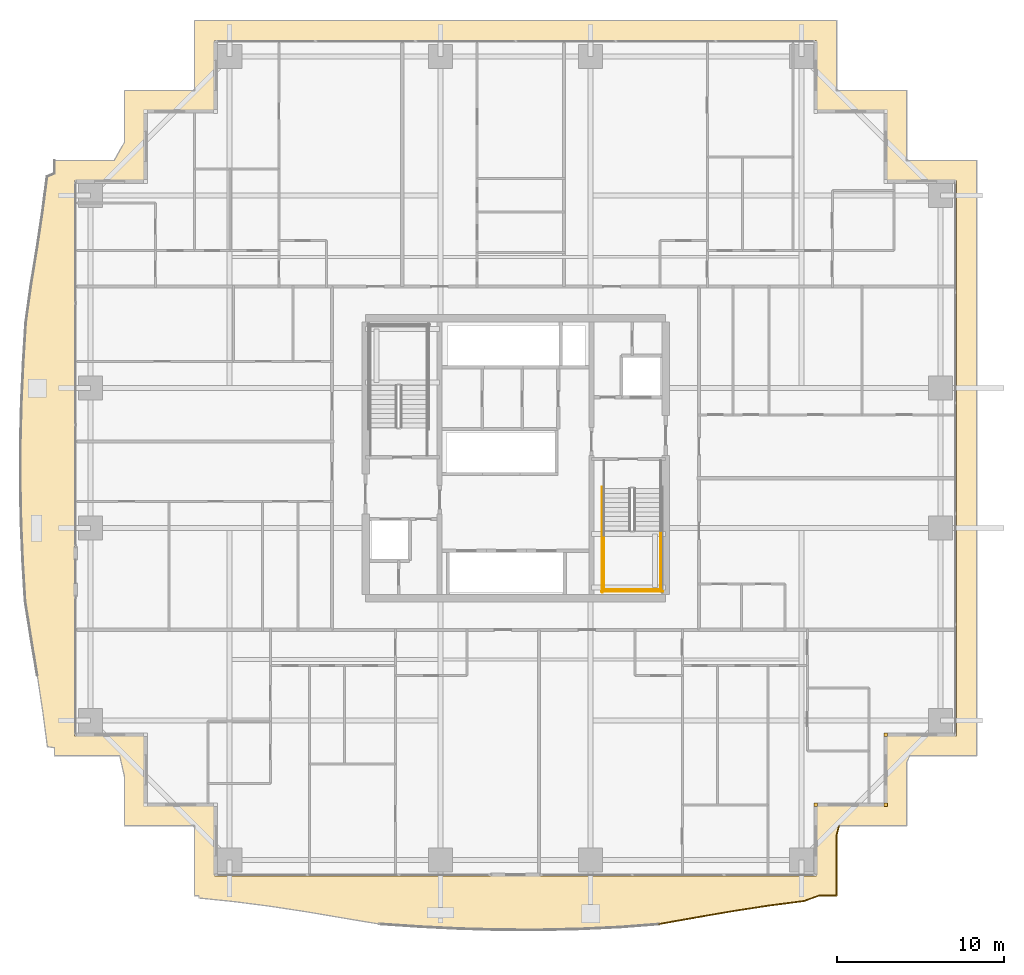
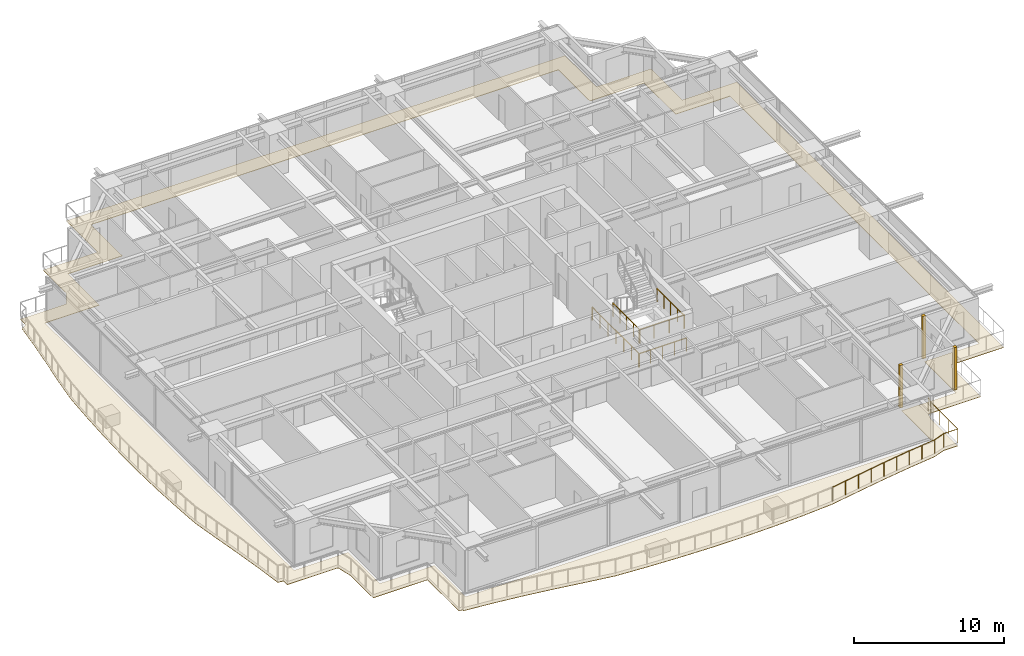
# One storey, part 35 of 39: 6 railings, 4 coverings.
"""IFC4 building model written with IfcOpenShell, lengths in metres."""

import ifcopenshell
import ifcopenshell.guid

model = None  # the IFC model being written
_history = None  # IfcOwnerHistory: only IFC2X3 demands one
_inside = {}  # id of a spatial element -> (the spatial element, [elements in it])
_under = {}  # id of a project, library or spatial element -> (it, [spatial elements below it])
_declared = {}  # id of a project -> (the project, [libraries it declares])
_typed = {}  # id of a type object -> (the type object, [elements of that type])
_made_of = {}  # id of a material, layer set ... -> (it, [elements and type objects made of it])


def new_model(schema):
    """Start an empty IFC model of exactly this schema.

    Asked for "IFC4X3", IfcOpenShell would pick the latest addendum, in which some entities
    have other attributes; the version numbers below select the first issue.
    IFC2X3 requires an IfcOwnerHistory on every rooted entity: one is made here for all.
    """
    global model, _history
    if schema == "IFC4X3":
        model = ifcopenshell.file(schema_version=(4, 3, 0, 0))
    else:
        model = ifcopenshell.file(schema=schema)
    _inside.clear()
    _under.clear()
    _declared.clear()
    _typed.clear()
    _made_of.clear()
    _history = None
    if model.schema == "IFC2X3":
        org = make("IfcOrganization", Name="unknown")
        user = make(
            "IfcPersonAndOrganization",
            ThePerson=make("IfcPerson", FamilyName="unknown"),
            TheOrganization=org,
        )
        app = make(
            "IfcApplication",
            ApplicationDeveloper=org,
            Version="unknown",
            ApplicationFullName="unknown",
            ApplicationIdentifier="unknown",
        )
        _history = make(
            "IfcOwnerHistory",
            OwningUser=user,
            OwningApplication=app,
            ChangeAction="ADDED",
            CreationDate=0,
        )
    return model


def make(cls, **values):
    """One entity of the class cls with the attributes given. An attribute that is None is left unset."""
    return model.create_entity(
        cls, **{name: value for name, value in values.items() if value is not None}
    )


def rooted(cls, **values):
    """An entity with a GlobalId (a new one), such as an element, a storey or a relation."""
    return make(cls, GlobalId=ifcopenshell.guid.new(), OwnerHistory=_history, **values)


def si_unit(unit_type, name, prefix=None):
    """IfcSIUnit, for example si_unit("LENGTHUNIT", "METRE", prefix="MILLI")."""
    return make("IfcSIUnit", UnitType=unit_type, Prefix=prefix, Name=name)


def assignment(units):
    """IfcUnitAssignment: the units of a project."""
    return None if units is None else make("IfcUnitAssignment", Units=units)


def point(xyz):
    """IfcCartesianPoint."""
    return None if xyz is None else make("IfcCartesianPoint", Coordinates=xyz)


def direction(xyz):
    """IfcDirection."""
    return None if xyz is None else make("IfcDirection", DirectionRatios=xyz)


def frame(location, z_axis=None, x_axis=None):
    """IfcAxis2Placement3D, a coordinate frame: its origin and axes. An axis left out is left unset."""
    return make(
        "IfcAxis2Placement3D",
        Location=point(location),
        Axis=direction(z_axis),
        RefDirection=direction(x_axis),
    )


def frame_2d(location, x_axis=None):
    """IfcAxis2Placement2D, a coordinate frame in the plane: its origin and x axis."""
    return make(
        "IfcAxis2Placement2D", Location=point(location), RefDirection=direction(x_axis)
    )


def origin():
    """The frame at (0, 0, 0) with its axes left unset."""
    return frame((0.0, 0.0, 0.0))


def origin_2d():
    """The frame at (0, 0) in the plane with its x axis left unset."""
    return frame_2d((0.0, 0.0))


def place(relative_to, where):
    """IfcLocalPlacement: puts the frame where relative to a parent placement (None: the world)."""
    return make(
        "IfcLocalPlacement", PlacementRelTo=relative_to, RelativePlacement=where
    )


def context(
    kind, dimensions, precision=None, world=None, true_north=None, identifier=None
):
    """IfcGeometricRepresentationContext, for example the 3D "Model" context."""
    return make(
        "IfcGeometricRepresentationContext",
        ContextIdentifier=identifier,
        ContextType=kind,
        CoordinateSpaceDimension=dimensions,
        Precision=precision,
        WorldCoordinateSystem=world,
        TrueNorth=true_north,
    )


def subcontext(parent, identifier, kind, view, scale=None):
    """IfcGeometricRepresentationSubContext, for example "Body" below "Model"."""
    return make(
        "IfcGeometricRepresentationSubContext",
        ContextIdentifier=identifier,
        ContextType=kind,
        ParentContext=parent,
        TargetScale=scale,
        TargetView=view,
    )


def project(units=None, contexts=None):
    """IfcProject with its units and contexts."""
    return rooted(
        "IfcProject",
        Name="project",
        RepresentationContexts=contexts,
        UnitsInContext=assignment(units),
    )


def spatial(cls, under=None, at=None, **own):
    """A site, building, storey or space (cls), placed at a placement, below another one or the project."""
    s = rooted(cls, ObjectPlacement=at, **own)
    if under is not None:
        _under.setdefault(under.id(), (under, []))[1].append(s)
    return s


def polyline(points):
    """IfcPolyline through the points."""
    return make("IfcPolyline", Points=[point(p) for p in points])


def profile(cls, at=None, kind="AREA", **sizes):
    """A parametric profile (cls). Its sizes go by their IFC names, for example OverallWidth=200.0."""
    return make(cls, ProfileType=kind, Position=at, **sizes)


def rectangle(**sizes):
    """IfcRectangleProfileDef."""
    return profile("IfcRectangleProfileDef", **sizes)


def circle(**sizes):
    """IfcCircleProfileDef."""
    return profile("IfcCircleProfileDef", **sizes)


def outline(outer, holes=None, kind="AREA"):
    """IfcArbitraryClosedProfileDef: a profile drawn as a closed curve; with holes, ...WithVoids."""
    if holes is None:
        return make("IfcArbitraryClosedProfileDef", ProfileType=kind, OuterCurve=outer)
    return make(
        "IfcArbitraryProfileDefWithVoids",
        ProfileType=kind,
        OuterCurve=outer,
        InnerCurves=holes,
    )


def extrude(swept, where, along, depth):
    """IfcExtrudedAreaSolid: the profile swept, set in the frame where, extruded along a direction by depth."""
    return make(
        "IfcExtrudedAreaSolid",
        SweptArea=swept,
        Position=where,
        ExtrudedDirection=direction(along),
        Depth=depth,
    )


def shape(context_of_items, identifier, shape_type, items):
    """IfcShapeRepresentation: the items that make up one representation, for example the "Body"."""
    return make(
        "IfcShapeRepresentation",
        ContextOfItems=context_of_items,
        RepresentationIdentifier=identifier,
        RepresentationType=shape_type,
        Items=items,
    )


def source(mapping_origin, context_of_items, identifier, shape_type, items):
    """IfcRepresentationMap: a shape defined once, which mapped items show again and again."""
    return make(
        "IfcRepresentationMap",
        MappingOrigin=mapping_origin,
        MappedRepresentation=shape(context_of_items, identifier, shape_type, items),
    )


def transform(
    local_origin,
    x_axis=None,
    y_axis=None,
    z_axis=None,
    scale=None,
    scale2=None,
    scale3=None,
    uniform=True,
):
    """IfcCartesianTransformationOperator3D, or its non-uniform kind. x_axis, y_axis, z_axis: its Axis1, 2, 3."""
    if uniform:
        return make(
            "IfcCartesianTransformationOperator3D",
            Axis1=direction(x_axis),
            Axis2=direction(y_axis),
            LocalOrigin=point(local_origin),
            Scale=scale,
            Axis3=direction(z_axis),
        )
    return make(
        "IfcCartesianTransformationOperator3DnonUniform",
        Axis1=direction(x_axis),
        Axis2=direction(y_axis),
        LocalOrigin=point(local_origin),
        Scale=scale,
        Axis3=direction(z_axis),
        Scale2=scale2,
        Scale3=scale3,
    )


def mapped(mapping_source, mapping_target):
    """IfcMappedItem: shows the shape of a source again, moved by a transform."""
    return make(
        "IfcMappedItem", MappingSource=mapping_source, MappingTarget=mapping_target
    )


def material(Name=None, Category=None):
    """IfcMaterial."""
    return make("IfcMaterial", Name=Name, Category=Category)


def layer(
    of_material, thickness, ventilated=None, Name=None, Category=None, Priority=None
):
    """IfcMaterialLayer: one layer of a wall or slab, of a material (None: an air gap)."""
    return make(
        "IfcMaterialLayer",
        Material=of_material,
        LayerThickness=thickness,
        IsVentilated=ventilated,
        Name=Name,
        Category=Category,
        Priority=Priority,
    )


def layer_set(layers, Name=None):
    """IfcMaterialLayerSet."""
    return make("IfcMaterialLayerSet", MaterialLayers=layers, LayerSetName=Name)


def made_of(thing, what):
    """Note that an element or type object is made of a material, layer set ...; save() writes the relation."""
    if what is not None:
        _made_of.setdefault(what.id(), (what, []))[1].append(thing)
    return thing


def type_object(cls, material=None, **own):
    """A type object (cls), such as IfcWallType, which elements share."""
    return made_of(rooted(cls, **own), material)


def element(
    cls,
    number,
    at=None,
    inside=None,
    cuts=None,
    type_object=None,
    material=None,
    context=None,
    identifier="Body",
    shape_type=None,
    held_by="IfcProductDefinitionShape",
    body=None,
    shapes=None,
    **own,
):
    """One element of the class cls, such as IfcWall. Its Tag is "e" and its number.

    at: its placement. inside: the storey or other place that contains it. cuts: it is an
    opening in that element (IfcRelVoidsElement). A single representation is given by context,
    identifier, shape_type and body (its items); several are given by shapes. held_by: the class
    of the entity that holds the representations. save() writes the other relations.
    """
    e = rooted(cls, Tag="e%d" % number, ObjectPlacement=at, **own)
    if body is not None:
        shapes = [shape(context, identifier, shape_type, body)]
    if shapes is not None:
        e.Representation = make(held_by, Representations=shapes)
    if inside is not None:
        _inside.setdefault(inside.id(), (inside, []))[1].append(e)
    if cuts is not None:
        rooted(
            "IfcRelVoidsElement", RelatingBuildingElement=cuts, RelatedOpeningElement=e
        )
    if type_object is not None:
        _typed.setdefault(type_object.id(), (type_object, []))[1].append(e)
    return made_of(e, material)


def aggregate(whole, parts):
    """IfcRelAggregates: a whole, such as a stair, and the parts it consists of."""
    return rooted("IfcRelAggregates", RelatingObject=whole, RelatedObjects=parts)


def save(model, path):
    """Write the relations noted so far, then the file.

    IfcRelAggregates (storeys below a building ...), IfcRelContainedInSpatialStructure (elements
    in a storey), IfcRelDefinesByType, IfcRelAssociatesMaterial and IfcRelDeclares: one each for
    every whole, place, type object, material and project.
    """
    for whole, parts in _under.values():
        aggregate(whole, parts)
    for where, things in _inside.values():
        rooted(
            "IfcRelContainedInSpatialStructure",
            RelatedElements=things,
            RelatingStructure=where,
        )
    for kind, things in _typed.values():
        rooted("IfcRelDefinesByType", RelatedObjects=things, RelatingType=kind)
    for what, things in _made_of.values():
        rooted("IfcRelAssociatesMaterial", RelatedObjects=things, RelatingMaterial=what)
    for by, libraries in _declared.values():
        rooted("IfcRelDeclares", RelatingContext=by, RelatedDefinitions=libraries)
    model.write(path)


model = new_model("IFC4")

# Units and contexts
model_context = context("Model", 3, precision=1e-05, world=origin(), true_north=direction((0.0, 1.0)))
body_context = subcontext(model_context, "Body", "Model", "MODEL_VIEW")
ifc_project = project(units=[si_unit("LENGTHUNIT", "METRE"), si_unit("AREAUNIT", "SQUARE_METRE"), si_unit("VOLUMEUNIT", "CUBIC_METRE"), si_unit("PLANEANGLEUNIT", "RADIAN"), si_unit("MASSUNIT", "GRAM", prefix="KILO")], contexts=[model_context])

# Site, building, storey
site_placement = place(None, origin())
site = spatial("IfcSite", under=ifc_project, at=site_placement, CompositionType="ELEMENT")
building_placement = place(site_placement, origin())
building = spatial("IfcBuilding", under=site, at=building_placement, Name="Serunith Strait Residences", CompositionType="ELEMENT")
storey_placement = place(building_placement, frame((0.0, 0.0, 60.449951171875)))
storey = spatial("IfcBuildingStorey", under=building, at=storey_placement, Name="L14", CompositionType="ELEMENT", Elevation=60.449951171875)

# Covering
ifc_material_1 = material(Name="Golden Teak Exterior Timber Boarding", Category="wood")
ifc_layer_1 = layer(ifc_material_1, 0.034912109375, Name="Golden Teak Exterior Timber Boarding")
ifc_layer_set_1 = layer_set([ifc_layer_1], Name="Golden Teak Exterior Timber Boarding")
covering_type_1 = type_object("IfcCoveringType", Name="COV-TEAK-SOFFIT", PredefinedType="CEILING", material=ifc_layer_set_1)
covering_placement = place(storey_placement, frame((0.0, 0.0, -0.324951171875)))
element("IfcCovering", 1, at=covering_placement, inside=storey, type_object=covering_type_1, Name="L14 Golden-Teak Balcony Soffit Lining", PredefinedType="CEILING", context=body_context, shape_type="SweptSolid", body=[
    extrude(outline(polyline([(13.139892578125, 3.139892578125), (8.93994140625, 3.139892578125), (8.93994140625, 6.101806640625), (8.653564453125, 7.340087890625), (4.739990234375, 7.340087890625), (4.739990234375, 7.827392578125), (4.315673828125, 7.8955078125), (4.0361328125, 10.0244140625), (3.70751953125, 12.176025390625), (3.343017578125, 14.367919921875), (2.985107421875, 16.62060546875), (2.841796875, 18.976806640625), (2.7421875, 21.36181640625), (2.694580078125, 23.765380859375), (2.702392578125, 26.1748046875), (2.763671875, 28.5771484375), (2.872314453125, 30.960205078125), (3.017822265625, 33.3154296875), (3.332275390625, 35.586669921875), (3.692138671875, 37.786865234375), (4.017578125, 39.94677734375), (4.295654296875, 42.08203125), (4.739990234375, 42.28662109375), (4.739990234375, 43.06005859375), (8.321533203125, 43.06005859375), (8.93994140625, 44.1484375), (8.93994140625, 47.260009765625), (13.139892578125, 47.260009765625), (13.139892578125, 51.4599609375), (51.659912109375, 51.4599609375), (51.659912109375, 47.260009765625), (55.860107421875, 47.260009765625), (55.860107421875, 43.06005859375), (60.06005859375, 43.06005859375), (60.06005859375, 7.340087890625), (56.041259765625, 7.340087890625), (55.860107421875, 6.9423828125), (55.860107421875, 3.139892578125), (51.812744140625, 3.139892578125), (51.659912109375, 2.561279296875), (51.659912109375, -1.06005859375), (50.585693359375, -1.06005859375), (49.6953125, -1.381103515625), (47.572998046875, -1.654541015625), (45.430419921875, -1.984619140625), (43.25, -2.361083984375), (41.0107421875, -2.757080078125), (38.656494140625, -2.939697265625), (36.260986328125, -3.05078125), (33.843505859375, -3.104736328125), (31.4189453125, -3.096923828125), (29.003173828125, -3.029296875), (26.609375, -2.91015625), (24.24755859375, -2.751220703125), (21.994384765625, -2.376953125), (19.80419921875, -2.0048828125), (17.653564453125, -1.677001953125), (15.5244140625, -1.403564453125), (13.4033203125, -1.1845703125), (13.404052734375, -1.06005859375), (13.139892578125, -1.06005859375), (13.139892578125, 3.139892578125)]), holes=[polyline([(50.455078125, 0.14501953125), (50.455078125, 4.344970703125), (54.655029296875, 4.344970703125), (54.655029296875, 8.544921875), (58.85498046875, 8.544921875), (58.85498046875, 41.85498046875), (54.655029296875, 41.85498046875), (54.655029296875, 46.054931640625), (50.455078125, 46.054931640625), (50.455078125, 50.2548828125), (14.344970703125, 50.2548828125), (14.344970703125, 46.054931640625), (10.14501953125, 46.054931640625), (10.14501953125, 41.85498046875), (5.945068359375, 41.85498046875), (5.945068359375, 8.544921875), (10.14501953125, 8.544921875), (10.14501953125, 4.344970703125), (14.344970703125, 4.344970703125), (14.344970703125, 0.14501953125), (50.455078125, 0.14501953125)])]), origin(), (0.0, 0.0, 1.0), 0.034912109375),
])

# Railings
ifc_material_2 = material(Name="Stainless Steel & Laminated Glass Balustrade", Category="steel")
railing_type_1 = type_object("IfcRailingType", Name="RLG-BALC-1150", PredefinedType="BALUSTRADE", material=ifc_material_2)
railing_1_placement = place(storey_placement, frame((51.812744140625, 3.139892578125, -0.050048828125)))
element("IfcRailing", 2, at=railing_1_placement, inside=storey, type_object=railing_type_1, Name="L14 Swirling Balcony Perimeter Balustrade 6", PredefinedType="BALUSTRADE", context=body_context, shape_type="SweptSolid", body=[
    extrude(circle(Radius=0.02392578125, at=origin_2d()), frame((-0.00048828125, -0.001953125, 1.1259765625), z_axis=(-0.255376732557, -0.96684162326, 0.0), x_axis=(0.96684162326, -0.255376732557, 0.0)), (0.0, 0.0, 1.0), 0.594482421875),
    extrude(circle(Radius=0.02392578125, at=origin_2d()), frame((-0.15283203125, -0.58056640625, 1.1259765625), z_axis=(0.0, -1.0, 0.0), x_axis=(1.0, 0.0, 0.0)), (0.0, 0.0, 1.0), 3.617431640625),
    extrude(circle(Radius=0.02392578125, at=origin_2d()), frame((-0.15478515625, -4.199951171875, 1.1259765625), z_axis=(-1.0, 0.0, 0.0), x_axis=(0.0, -1.0, 0.0)), (0.0, 0.0, 1.0), 1.0703125),
    extrude(circle(Radius=0.02392578125, at=origin_2d()), frame((-1.22900390625, -4.20068359375, 1.1259765625), z_axis=(-0.940716304605, -0.339194390062, 0.0), x_axis=(0.339194390062, -0.940716304605, 0.0)), (0.0, 0.0, 1.0), 0.9423828125),
    extrude(circle(Radius=0.02392578125, at=origin_2d()), frame((-2.119384765625, -4.521240234375, 1.1259765625), z_axis=(-0.99180213858, -0.127783089291, 0.0), x_axis=(0.127783089291, -0.99180213858, 0.0)), (0.0, 0.0, 1.0), 2.1357421875),
    extrude(circle(Radius=0.02392578125, at=origin_2d()), frame((-4.24169921875, -4.794677734375, 1.1259765625), z_axis=(-0.988340430016, -0.152260285025, 0.0), x_axis=(0.152260285025, -0.988340430016, 0.0)), (0.0, 0.0, 1.0), 2.163818359375),
    extrude(circle(Radius=0.02392578125, at=origin_2d()), frame((-6.38427734375, -5.124755859375, 1.1259765625), z_axis=(-0.985419954115, -0.17013968976, 0.0), x_axis=(0.17013968976, -0.985419954115, 0.0)), (0.0, 0.0, 1.0), 2.208740234375),
    extrude(circle(Radius=0.02392578125, at=origin_2d()), frame((-8.564697265625, -5.501220703125, 1.1259765625), z_axis=(-0.98472080709, -0.174140552671, 0.0), x_axis=(0.174140552671, -0.98472080709, 0.0)), (0.0, 0.0, 1.0), 2.27001953125),
    extrude(circle(Radius=0.02099609375, at=origin_2d()), origin(), (0.0, 0.0, 1.0), 1.099853515625),
    extrude(circle(Radius=0.02099609375, at=origin_2d()), frame((-0.15283203125, -0.57861328125, 0.0)), (0.0, 0.0, 1.0), 1.099853515625),
    extrude(circle(Radius=0.02099609375, at=origin_2d()), frame((-0.15283203125, -1.78564453125, 0.0)), (0.0, 0.0, 1.0), 1.099853515625),
    extrude(circle(Radius=0.02099609375, at=origin_2d()), frame((-0.15283203125, -2.992919921875, 0.0)), (0.0, 0.0, 1.0), 1.099853515625),
    extrude(circle(Radius=0.02099609375, at=origin_2d()), frame((-0.15283203125, -4.199951171875, 0.0)), (0.0, 0.0, 1.0), 1.099853515625),
    extrude(circle(Radius=0.02099609375, at=origin_2d()), frame((-1.22705078125, -4.199951171875, 0.0)), (0.0, 0.0, 1.0), 1.099853515625),
    extrude(circle(Radius=0.02099609375, at=origin_2d()), frame((-2.117431640625, -4.52099609375, 0.0)), (0.0, 0.0, 1.0), 1.099853515625),
    extrude(circle(Radius=0.02099609375, at=origin_2d()), frame((-3.1787109375, -4.65771484375, 0.0)), (0.0, 0.0, 1.0), 1.099853515625),
    extrude(circle(Radius=0.02099609375, at=origin_2d()), frame((-4.23974609375, -4.79443359375, 0.0)), (0.0, 0.0, 1.0), 1.099853515625),
    extrude(circle(Radius=0.02099609375, at=origin_2d()), frame((-5.31103515625, -4.95947265625, 0.0)), (0.0, 0.0, 1.0), 1.099853515625),
    extrude(circle(Radius=0.02099609375, at=origin_2d()), frame((-6.38232421875, -5.12451171875, 0.0)), (0.0, 0.0, 1.0), 1.099853515625),
    extrude(circle(Radius=0.02099609375, at=origin_2d()), frame((-7.47265625, -5.312744140625, 0.0)), (0.0, 0.0, 1.0), 1.099853515625),
    extrude(circle(Radius=0.02099609375, at=origin_2d()), frame((-8.562744140625, -5.5009765625, 0.0)), (0.0, 0.0, 1.0), 1.099853515625),
    extrude(circle(Radius=0.02099609375, at=origin_2d()), frame((-9.682373046875, -5.698974609375, 0.0)), (0.0, 0.0, 1.0), 1.099853515625),
    extrude(circle(Radius=0.02099609375, at=origin_2d()), frame((-10.802001953125, -5.89697265625, 0.0)), (0.0, 0.0, 1.0), 1.099853515625),
])
ifc_material_3 = material(Name="Brushed stainless steel 316L", Category="steel")
railing_type_2 = type_object("IfcRailingType", Name="RLG-STAIR-GUARD", PredefinedType="BALUSTRADE", material=ifc_material_3)
for number, where, name in (
    (3, (37.699951171875, 20.85009765625, 1.875), "L14 ST-2 stair guard 3"),
    (4, (41.10009765625, 20.85009765625, 1.875), "L14 ST-2 stair guard 4"),
):
    element("IfcRailing", number, at=place(storey_placement, frame(where)), inside=storey, type_object=railing_type_2, Name=name, PredefinedType="BALUSTRADE", context=body_context, shape_type="SweptSolid", body=[
        extrude(circle(Radius=0.02392578125, at=origin_2d()), frame((0.0, -0.001953125, 1.076171875), z_axis=(0.0, -1.0, 0.0), x_axis=(1.0, 0.0, 0.0)), (0.0, 0.0, 1.0), 3.59619140625),
        extrude(circle(Radius=0.02099609375, at=origin_2d()), origin(), (0.0, 0.0, 1.0), 1.050048828125),
        extrude(circle(Radius=0.02099609375, at=origin_2d()), frame((0.0, -0.89990234375, 0.0)), (0.0, 0.0, 1.0), 1.050048828125),
        extrude(circle(Radius=0.02099609375, at=origin_2d()), frame((0.0, -1.800048828125, 0.0)), (0.0, 0.0, 1.0), 1.050048828125),
        extrude(circle(Radius=0.02099609375, at=origin_2d()), frame((0.0, -2.7001953125, 0.0)), (0.0, 0.0, 1.0), 1.050048828125),
        extrude(circle(Radius=0.02099609375, at=origin_2d()), frame((0.0, -3.60009765625, 0.0)), (0.0, 0.0, 1.0), 1.050048828125),
    ])
railing_2_placement = place(storey_placement, frame((37.64990234375, 17.300048828125, 1.875)))
element("IfcRailing", 5, at=railing_2_placement, inside=storey, type_object=railing_type_2, Name="L14 ST-2 stair guard 5", PredefinedType="BALUSTRADE", context=body_context, shape_type="SweptSolid", body=[
    extrude(circle(Radius=0.02392578125, at=origin_2d()), frame((0.001953125, 0.0, 1.076171875), z_axis=(1.0, 0.0, 0.0), x_axis=(0.0, 1.0, 0.0)), (0.0, 0.0, 1.0), 3.49609375),
    extrude(circle(Radius=0.02099609375, at=origin_2d()), origin(), (0.0, 0.0, 1.0), 1.050048828125),
    extrude(circle(Radius=0.02099609375, at=origin_2d()), frame((1.166748046875, 0.0, 0.0)), (0.0, 0.0, 1.0), 1.050048828125),
    extrude(circle(Radius=0.02099609375, at=origin_2d()), frame((2.333251953125, 0.0, 0.0)), (0.0, 0.0, 1.0), 1.050048828125),
    extrude(circle(Radius=0.02099609375, at=origin_2d()), frame((3.5, 0.0, 0.0)), (0.0, 0.0, 1.0), 1.050048828125),
])
railing_3_placement = place(storey_placement, frame((37.60009765625, 23.469970703125, 0.0)))
element("IfcRailing", 6, at=railing_3_placement, inside=storey, type_object=railing_type_2, Name="L14 ST-2 stair guard 10", PredefinedType="BALUSTRADE", context=body_context, shape_type="SweptSolid", body=[
    extrude(circle(Radius=0.02392578125, at=origin_2d()), frame((0.0, -0.001953125, 1.076171875), z_axis=(0.0, -1.0, 0.0), x_axis=(1.0, 0.0, 0.0)), (0.0, 0.0, 1.0), 6.316162109375),
    extrude(circle(Radius=0.02099609375, at=origin_2d()), origin(), (0.0, 0.0, 1.0), 1.050048828125),
    extrude(circle(Radius=0.02099609375, at=origin_2d()), frame((0.0, -1.05322265625, 0.0)), (0.0, 0.0, 1.0), 1.050048828125),
    extrude(circle(Radius=0.02099609375, at=origin_2d()), frame((0.0, -2.106689453125, 0.0)), (0.0, 0.0, 1.0), 1.050048828125),
    extrude(circle(Radius=0.02099609375, at=origin_2d()), frame((0.0, -3.16015625, 0.0)), (0.0, 0.0, 1.0), 1.050048828125),
    extrude(circle(Radius=0.02099609375, at=origin_2d()), frame((0.0, -4.21337890625, 0.0)), (0.0, 0.0, 1.0), 1.050048828125),
    extrude(circle(Radius=0.02099609375, at=origin_2d()), frame((0.0, -5.2666015625, 0.0)), (0.0, 0.0, 1.0), 1.050048828125),
    extrude(circle(Radius=0.02099609375, at=origin_2d()), frame((0.0, -6.320068359375, 0.0)), (0.0, 0.0, 1.0), 1.050048828125),
])
railing_4_placement = place(storey_placement, frame((37.550048828125, 17.199951171875, 0.0)))
element("IfcRailing", 7, at=railing_4_placement, inside=storey, type_object=railing_type_2, Name="L14 ST-2 stair guard 12", PredefinedType="BALUSTRADE", context=body_context, shape_type="SweptSolid", body=[
    extrude(circle(Radius=0.02392578125, at=origin_2d()), frame((0.001953125, 0.0, 1.076171875), z_axis=(1.0, 0.0, 0.0), x_axis=(0.0, 1.0, 0.0)), (0.0, 0.0, 1.0), 3.696044921875),
    extrude(circle(Radius=0.02099609375, at=origin_2d()), origin(), (0.0, 0.0, 1.0), 1.050048828125),
    extrude(circle(Radius=0.02099609375, at=origin_2d()), frame((0.925048828125, 0.0, 0.0)), (0.0, 0.0, 1.0), 1.050048828125),
    extrude(circle(Radius=0.02099609375, at=origin_2d()), frame((1.85009765625, 0.0, 0.0)), (0.0, 0.0, 1.0), 1.050048828125),
    extrude(circle(Radius=0.02099609375, at=origin_2d()), frame((2.77490234375, 0.0, 0.0)), (0.0, 0.0, 1.0), 1.050048828125),
    extrude(circle(Radius=0.02099609375, at=origin_2d()), frame((3.699951171875, 0.0, 0.0)), (0.0, 0.0, 1.0), 1.050048828125),
])

# Coverings
ifc_material_4 = material(Name="Pale-Champagne Anodised Aluminium", Category="aluminium")
ifc_layer_2 = layer(ifc_material_4, 0.219970703125, Name="Pale-Champagne Anodised Aluminium")
ifc_layer_set_2 = layer_set([ifc_layer_2], Name="Pale-Champagne Anodised Aluminium")
covering_type_2 = type_object("IfcCoveringType", Name="COV-CORN-TRIM", PredefinedType="CLADDING", material=ifc_layer_set_2)
shared_shape = source(origin(), body_context, "Body", "SweptSolid", [
    extrude(rectangle(XDim=0.221923828125, YDim=0.221923828125, at=origin_2d()), origin(), (0.0, 0.0, 1.0), 3.47509765625),
])
for number, where, z_axis, x_axis, name in (
    (8, (50.39990234375, 4.39990234375, 0.0), (0.0, 0.0, 1.0), (1.0, 0.0, 0.0), "L14 Girih Serrated Corner Trim Post 02"),
    (9, (54.60009765625, 4.39990234375, 0.0), (0.0, 0.0, 1.0), (1.0, 0.0, 0.0), "L14 Girih Serrated Corner Trim Post 03"),
    (10, (54.60009765625, 8.60009765625, 0.0), (0.0, 0.0, 1.0), (1.0, 0.0, 0.0), "L14 Girih Serrated Corner Trim Post 04"),
):
    element("IfcCovering", number, at=place(storey_placement, frame(where, z_axis=z_axis, x_axis=x_axis)), inside=storey, type_object=covering_type_2, Name=name, PredefinedType="CLADDING", context=body_context, shape_type="MappedRepresentation", body=[
        mapped(shared_shape, transform((0.0, 0.0, 0.0), scale=1.0)),
    ])

save(model, "model.ifc")
